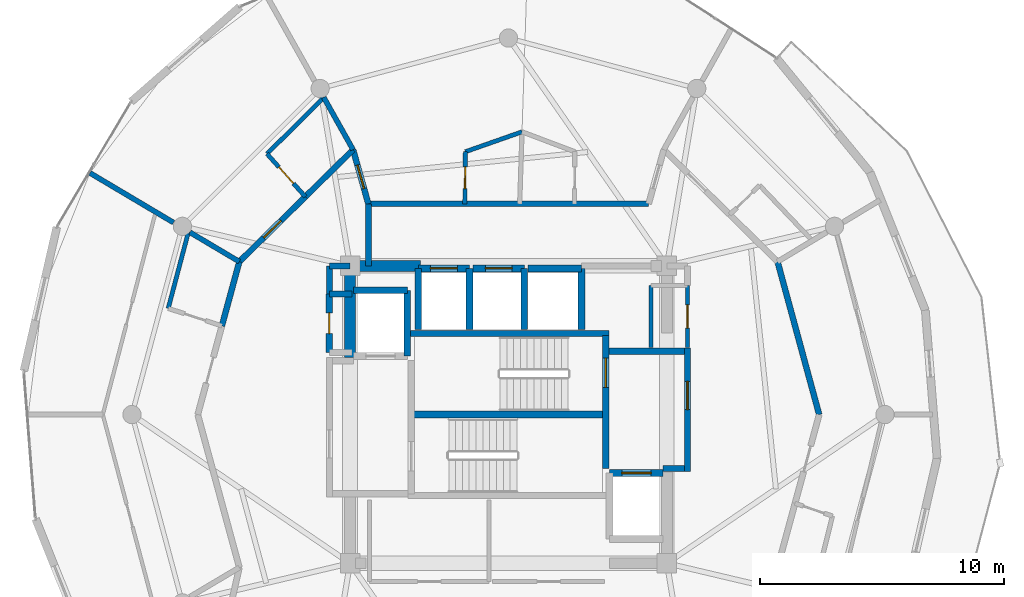
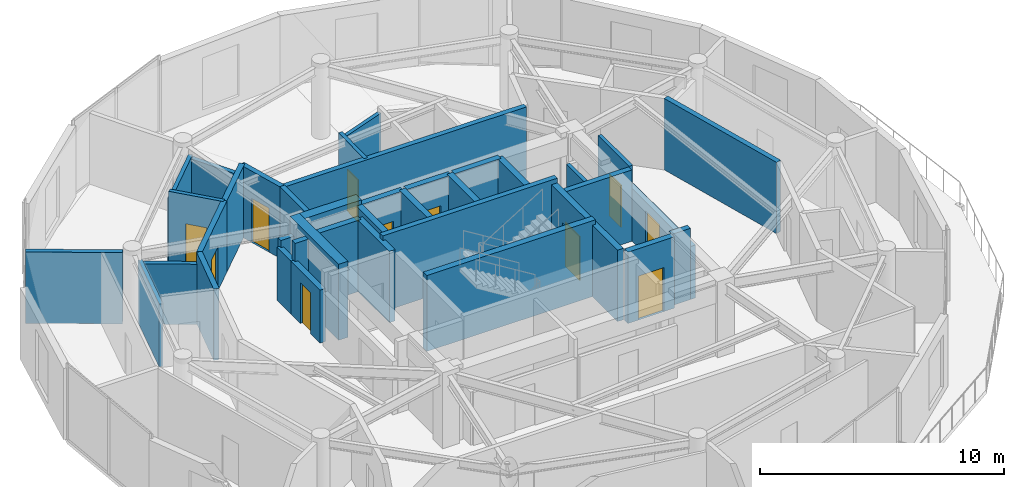
# One storey, part 18 of 22: 39 walls, 11 doors, 11 openings.
"""IFC4 building model written with IfcOpenShell, lengths in metres."""

from ifc_helpers import new_model, si_unit, direction, frame, frame_2d, origin, place, context, subcontext, project, spatial, rectangle, extrude, material, layer, layer_set, type_object, element, fill, save


model = new_model("IFC4")

# Units and contexts
model_context = context("Model", 3, precision=1e-05, world=origin(), true_north=direction((0.0, 1.0)))
body_context = subcontext(model_context, "Body", "Model", "MODEL_VIEW")
ifc_project = project(units=[si_unit("LENGTHUNIT", "METRE"), si_unit("AREAUNIT", "SQUARE_METRE"), si_unit("VOLUMEUNIT", "CUBIC_METRE"), si_unit("PLANEANGLEUNIT", "RADIAN"), si_unit("MASSUNIT", "GRAM", prefix="KILO")], contexts=[model_context])

# Site, building, storey
site_placement = place(None, origin())
site = spatial("IfcSite", under=ifc_project, at=site_placement, CompositionType="ELEMENT")
building_placement = place(site_placement, origin())
building = spatial("IfcBuilding", under=site, at=building_placement, Name="Solvirekh Grand Hotel", CompositionType="ELEMENT")
storey_placement = place(building_placement, frame((0.0, 0.0, 239.199951171875)))
storey = spatial("IfcBuildingStorey", under=building, at=storey_placement, Name="L62", CompositionType="ELEMENT", Elevation=239.199951171875)

# Wall
ifc_material_1 = material(Name="Concrete C50/60", Category="concrete")
ifc_layer_1 = layer(ifc_material_1, 0.35009765625)
ifc_layer_set_1 = layer_set([ifc_layer_1], Name="Concrete C50/60")
wall_type_1 = type_object("IfcWallType", Name="CoreDivWall_RC350", PredefinedType="SOLIDWALL", material=ifc_layer_set_1)
wall_1_placement = place(storey_placement, frame((-4.1298828125, 3.324951171875, 0.0), z_axis=(0.0, 0.0, 1.0), x_axis=(1.0, 0.0, 0.0)))
element("IfcWall", 1, at=wall_1_placement, inside=storey, type_object=wall_type_1, Name="L62 core stair box wall ST-N", PredefinedType="SOLIDWALL", context=body_context, shape_type="SweptSolid", body=[
    extrude(rectangle(XDim=8.259765625, YDim=0.25, at=frame_2d((4.1298828125, 0.0))), origin(), (0.0, 0.0, 1.0), 3.800048828125),
])

# Wall, opening, door
ifc_material_2 = material(Name="Concrete C40/50", Category="concrete")
ifc_layer_2 = layer(ifc_material_2, 0.280029296875)
ifc_layer_set_2 = layer_set([ifc_layer_2], Name="Concrete C40/50")
wall_type_2 = type_object("IfcWallType", Name="CoreShaftWall_RC280", PredefinedType="SOLIDWALL", material=ifc_layer_set_2)
wall_2_placement = place(storey_placement, frame((-1.60009765625, 6.0, 0.0), z_axis=(0.0, 0.0, 1.0), x_axis=(-1.0, 0.0, 0.0)))
wall_2 = element("IfcWall", 2, at=wall_2_placement, inside=storey, type_object=wall_type_2, Name="L62 HP-1 hoistway N wall", PredefinedType="SOLIDWALL", context=body_context, shape_type="SweptSolid", body=[
    extrude(rectangle(XDim=2.099853515625, YDim=0.280029296875, at=frame_2d((1.0498046875, 0.0))), origin(), (0.0, 0.0, 1.0), 3.570068359375),
])
opening_1_placement = place(wall_2_placement, frame((0.5, 0.0, 0.0)))
opening_1 = element("IfcOpeningElement", 3, at=opening_1_placement, cuts=wall_2, Name="Opening LD01", PredefinedType="OPENING", context=body_context, shape_type="SweptSolid", body=[
    extrude(rectangle(XDim=1.10009765625, YDim=2.199951171875, at=frame_2d((0.550048828125, 1.10009765625))), frame((0.0, 0.14990234375, 0.0), z_axis=(0.0, -1.0, 0.0), x_axis=(1.0, 0.0, 0.0)), (0.0, 0.0, 1.0), 0.300048828125),
])
ifc_material_3 = material(Name="Fire-Rated Steel Door Assembly", Category="steel")
door_type_1 = type_object("IfcDoorType", Name="Door_LiftLanding_1100X2200", OperationType="SLIDING_TO_LEFT", PredefinedType="DOOR", material=ifc_material_3)
door_1_placement = place(opening_1_placement, origin())
door_1 = element("IfcDoor", 4, at=door_1_placement, inside=storey, type_object=door_type_1, Name="L62 HP-1 sliding lift landing door", OperationType="SLIDING_TO_LEFT", OverallHeight=2.199951171875, OverallWidth=1.10009765625, PredefinedType="DOOR", context=body_context, shape_type="SweptSolid", body=[
    extrude(rectangle(XDim=1.10009765625, YDim=2.199951171875, at=frame_2d((0.550048828125, 1.10009765625))), frame((0.0, 0.02490234375, 0.0), z_axis=(0.0, -1.0, 0.0), x_axis=(1.0, 0.0, 0.0)), (0.0, 0.0, 1.0), 0.050048828125),
])
fill(opening_1, door_1)

# Walls
for number, where, z_axis, x_axis, name in (
    (5, (-3.699951171875, 6.0, 0.0), (0.0, 0.0, 1.0), (0.0, -1.0, 0.0), "L62 HP-1 hoistway W wall"),
    (6, (-1.60009765625, 3.5, 0.0), (0.0, 0.0, 1.0), (0.0, 1.0, 0.0), "L62 HP-1 hoistway E wall"),
):
    element("IfcWall", number, at=place(storey_placement, frame(where, z_axis=z_axis, x_axis=x_axis)), inside=storey, type_object=wall_type_2, Name=name, PredefinedType="SOLIDWALL", context=body_context, shape_type="SweptSolid", body=[
        extrude(rectangle(XDim=2.5, YDim=0.280029296875, at=frame_2d((1.25, 0.0))), origin(), (0.0, 0.0, 1.0), 3.570068359375),
    ])

# Wall, opening, door
wall_3_placement = place(storey_placement, frame((0.64990234375, 6.0, 0.0), z_axis=(0.0, 0.0, 1.0), x_axis=(-1.0, 0.0, 0.0)))
wall_3 = element("IfcWall", 7, at=wall_3_placement, inside=storey, type_object=wall_type_2, Name="L62 HP-2 hoistway N wall", PredefinedType="SOLIDWALL", context=body_context, shape_type="SweptSolid", body=[
    extrude(rectangle(XDim=2.099853515625, YDim=0.280029296875, at=frame_2d((1.0498046875, 0.0))), origin(), (0.0, 0.0, 1.0), 3.570068359375),
])
opening_2_placement = place(wall_3_placement, frame((0.5, 0.0, 0.0)))
opening_2 = element("IfcOpeningElement", 8, at=opening_2_placement, cuts=wall_3, Name="Opening LD01", PredefinedType="OPENING", context=body_context, shape_type="SweptSolid", body=[
    extrude(rectangle(XDim=1.10009765625, YDim=2.199951171875, at=frame_2d((0.550048828125, 1.10009765625))), frame((0.0, 0.14990234375, 0.0), z_axis=(0.0, -1.0, 0.0), x_axis=(1.0, 0.0, 0.0)), (0.0, 0.0, 1.0), 0.300048828125),
])
door_2_placement = place(opening_2_placement, origin())
door_2 = element("IfcDoor", 9, at=door_2_placement, inside=storey, type_object=door_type_1, Name="L62 HP-2 sliding lift landing door", OperationType="SLIDING_TO_LEFT", OverallHeight=2.199951171875, OverallWidth=1.10009765625, PredefinedType="DOOR", context=body_context, shape_type="SweptSolid", body=[
    extrude(rectangle(XDim=1.10009765625, YDim=2.199951171875, at=frame_2d((0.550048828125, 1.10009765625))), frame((0.0, 0.02490234375, 0.0), z_axis=(0.0, -1.0, 0.0), x_axis=(1.0, 0.0, 0.0)), (0.0, 0.0, 1.0), 0.050048828125),
])
fill(opening_2, door_2)

# Walls
wall_4_placement = place(storey_placement, frame((0.64990234375, 3.5, 0.0), z_axis=(0.0, 0.0, 1.0), x_axis=(0.0, 1.0, 0.0)))
element("IfcWall", 10, at=wall_4_placement, inside=storey, type_object=wall_type_2, Name="L62 HP-2 hoistway E wall", PredefinedType="SOLIDWALL", context=body_context, shape_type="SweptSolid", body=[
    extrude(rectangle(XDim=2.5, YDim=0.280029296875, at=frame_2d((1.25, 0.0))), origin(), (0.0, 0.0, 1.0), 3.570068359375),
])
wall_5_placement = place(storey_placement, frame((3.0, 6.0, 0.0), z_axis=(0.0, 0.0, 1.0), x_axis=(-1.0, 0.0, 0.0)))
element("IfcWall", 11, at=wall_5_placement, inside=storey, type_object=wall_type_2, Name="L62 EX-1 hoistway N wall", PredefinedType="SOLIDWALL", context=body_context, shape_type="SweptSolid", body=[
    extrude(rectangle(XDim=2.199951171875, YDim=0.280029296875, at=frame_2d((1.10009765625, 0.0))), origin(), (0.0, 0.0, 1.0), 3.570068359375),
])
wall_6_placement = place(storey_placement, frame((3.0, 3.5, 0.0), z_axis=(0.0, 0.0, 1.0), x_axis=(0.0, 1.0, 0.0)))
element("IfcWall", 12, at=wall_6_placement, inside=storey, type_object=wall_type_2, Name="L62 EX-1 hoistway E wall", PredefinedType="SOLIDWALL", context=body_context, shape_type="SweptSolid", body=[
    extrude(rectangle(XDim=2.5, YDim=0.280029296875, at=frame_2d((1.25, 0.0))), origin(), (0.0, 0.0, 1.0), 3.570068359375),
])
wall_7_placement = place(storey_placement, frame((-4.14990234375, 5.10009765625, 0.0), z_axis=(0.0, 0.0, 1.0), x_axis=(-1.0, 0.0, 0.0)))
element("IfcWall", 13, at=wall_7_placement, inside=storey, type_object=wall_type_2, Name="L62 FL-1 hoistway N wall", PredefinedType="SOLIDWALL", context=body_context, shape_type="SweptSolid", body=[
    extrude(rectangle(XDim=2.2001953125, YDim=0.280029296875, at=frame_2d((1.10009765625, 0.0))), origin(), (0.0, 0.0, 1.0), 3.570068359375),
])
wall_8_placement = place(storey_placement, frame((-4.14990234375, 2.39990234375, 0.0), z_axis=(0.0, 0.0, 1.0), x_axis=(0.0, 1.0, 0.0)))
element("IfcWall", 14, at=wall_8_placement, inside=storey, type_object=wall_type_2, Name="L62 FL-1 hoistway E wall", PredefinedType="SOLIDWALL", context=body_context, shape_type="SweptSolid", body=[
    extrude(rectangle(XDim=2.7001953125, YDim=0.280029296875, at=frame_2d((1.35009765625, 0.0))), origin(), (0.0, 0.0, 1.0), 3.570068359375),
])

# Wall, opening, door
wall_9_placement = place(storey_placement, frame((6.35009765625, -2.39990234375, 0.0), z_axis=(0.0, 0.0, 1.0), x_axis=(-1.0, 0.0, 0.0)))
wall_9 = element("IfcWall", 15, at=wall_9_placement, inside=storey, type_object=wall_type_2, Name="L62 FL-2 hoistway N wall", PredefinedType="SOLIDWALL", context=body_context, shape_type="SweptSolid", body=[
    extrude(rectangle(XDim=2.2001953125, YDim=0.280029296875, at=frame_2d((1.10009765625, 0.0))), origin(), (0.0, 0.0, 1.0), 3.570068359375),
])
opening_3_placement = place(wall_9_placement, frame((0.5, 0.0, 0.0)))
opening_3 = element("IfcOpeningElement", 16, at=opening_3_placement, cuts=wall_9, Name="Opening LD02", PredefinedType="OPENING", context=body_context, shape_type="SweptSolid", body=[
    extrude(rectangle(XDim=1.199951171875, YDim=2.199951171875, at=frame_2d((0.60009765625, 1.10009765625))), frame((0.0, 0.14990234375, 0.0), z_axis=(0.0, -1.0, 0.0), x_axis=(1.0, 0.0, 0.0)), (0.0, 0.0, 1.0), 0.300048828125),
])
door_type_2 = type_object("IfcDoorType", Name="Door_LiftFF_1200X2200", OperationType="SLIDING_TO_LEFT", PredefinedType="DOOR", material=ifc_material_3)
door_3_placement = place(opening_3_placement, origin())
door_3 = element("IfcDoor", 17, at=door_3_placement, inside=storey, type_object=door_type_2, Name="L62 FL-2 sliding lift landing door", OperationType="SLIDING_TO_LEFT", OverallHeight=2.199951171875, OverallWidth=1.199951171875, PredefinedType="DOOR", context=body_context, shape_type="SweptSolid", body=[
    extrude(rectangle(XDim=1.199951171875, YDim=2.199951171875, at=frame_2d((0.60009765625, 1.10009765625))), frame((0.0, 0.02490234375, 0.0), z_axis=(0.0, -1.0, 0.0), x_axis=(1.0, 0.0, 0.0)), (0.0, 0.0, 1.0), 0.050048828125),
])
fill(opening_3, door_3)

wall_10_placement = place(storey_placement, frame((3.989990234375, -2.2099609375, 0.0), z_axis=(0.0, 0.0, 1.0), x_axis=(0.0, 1.0, 0.0)))
wall_10 = element("IfcWall", 18, at=wall_10_placement, inside=storey, type_object=wall_type_2, Name="L62 east stair landing enclosure wall", PredefinedType="SOLIDWALL", context=body_context, shape_type="SweptSolid", body=[
    extrude(rectangle(XDim=5.4599609375, YDim=0.280029296875, at=frame_2d((2.72998046875, 0.0))), origin(), (0.0, 0.0, 1.0), 3.570068359375),
])
opening_4_placement = place(wall_10_placement, frame((3.322998046875, 0.0, 0.0)))
opening_4 = element("IfcOpeningElement", 19, at=opening_4_placement, cuts=wall_10, Name="Opening D05", PredefinedType="OPENING", context=body_context, shape_type="SweptSolid", body=[
    extrude(rectangle(XDim=1.199951171875, YDim=2.199951171875, at=frame_2d((0.60009765625, 1.10009765625))), frame((0.0, 0.14990234375, 0.0), z_axis=(0.0, -1.0, 0.0), x_axis=(1.0, 0.0, 0.0)), (0.0, 0.0, 1.0), 0.300048828125),
])
door_type_3 = type_object("IfcDoorType", Name="Door_StairCore_1200X2200", OperationType="NOTDEFINED", PredefinedType="DOOR", material=ifc_material_3)
door_4_placement = place(opening_4_placement, origin())
door_4 = element("IfcDoor", 20, at=door_4_placement, inside=storey, type_object=door_type_3, Name="L62 exit stair ST-2 fire door", OperationType="SINGLE_SWING_LEFT", OverallHeight=2.199951171875, OverallWidth=1.199951171875, PredefinedType="DOOR", context=body_context, shape_type="SweptSolid", body=[
    extrude(rectangle(XDim=1.199951171875, YDim=2.199951171875, at=frame_2d((0.60009765625, 1.10009765625))), frame((0.0, 0.02490234375, 0.0), z_axis=(0.0, -1.0, 0.0), x_axis=(1.0, 0.0, 0.0)), (0.0, 0.0, 1.0), 0.050048828125),
])
fill(opening_4, door_4)

# Walls
ifc_layer_3 = layer(ifc_material_1, 0.449951171875)
ifc_layer_set_3 = layer_set([ifc_layer_3], Name="Concrete C50/60")
wall_type_3 = type_object("IfcWallType", Name="CoreWall_RC450", PredefinedType="SHEAR", material=ifc_layer_set_3)
wall_11_placement = place(storey_placement, frame((-3.989990234375, 0.0, 0.0), z_axis=(0.0, 0.0, 1.0), x_axis=(1.0, 0.0, 0.0)))
element("IfcWall", 21, at=wall_11_placement, inside=storey, type_object=wall_type_3, Name="L62 central stair-spine shear wall", PredefinedType="SHEAR", context=body_context, shape_type="SweptSolid", body=[
    extrude(rectangle(XDim=7.97998046875, YDim=0.300048828125, at=frame_2d((3.989990234375, 0.0))), origin(), (0.0, 0.0, 1.0), 3.800048828125),
])
wall_12_placement = place(storey_placement, frame((-6.27490234375, 6.10009765625, 0.0), z_axis=(0.0, 0.0, 1.0), x_axis=(1.0, 0.0, 0.0)))
element("IfcWall", 22, at=wall_12_placement, inside=storey, type_object=wall_type_3, Name="L62 core corner shear wall NW-N", PredefinedType="SHEAR", context=body_context, shape_type="SweptSolid", body=[
    extrude(rectangle(XDim=2.6748046875, YDim=0.449951171875, at=frame_2d((1.33740234375, 0.0))), origin(), (0.0, 0.0, 1.0), 3.800048828125),
])
wall_13_placement = place(storey_placement, frame((-6.5, 2.35009765625, 0.0), z_axis=(0.0, 0.0, 1.0), x_axis=(0.0, 1.0, 0.0)))
element("IfcWall", 23, at=wall_13_placement, inside=storey, type_object=wall_type_3, Name="L62 core corner shear wall WN-W", PredefinedType="SHEAR", context=body_context, shape_type="SweptSolid", body=[
    extrude(rectangle(XDim=3.974853515625, YDim=0.449951171875, at=frame_2d((1.9873046875, 0.0))), origin(), (0.0, 0.0, 1.0), 3.800048828125),
])

# Wall, opening, door
ifc_material_4 = material(Name="Acoustic Gypsum Partition Assembly")
ifc_layer_4 = layer(ifc_material_4, 0.1650390625)
ifc_layer_set_4 = layer_set([ifc_layer_4], Name="Acoustic Gypsum Partition Assembly")
wall_type_4 = type_object("IfcWallType", Name="Part_BOH_165", PredefinedType="PARTITIONING", material=ifc_layer_set_4)
wall_14_placement = place(storey_placement, frame((7.35009765625, 2.75, 0.0), z_axis=(0.0, 0.0, 1.0), x_axis=(0.0, 1.0, 0.0)))
wall_14 = element("IfcWall", 24, at=wall_14_placement, inside=storey, type_object=wall_type_4, Name="L62 L62 Core Housekeeping & Linen Room wall 2", PredefinedType="PARTITIONING", context=body_context, shape_type="SweptSolid", body=[
    extrude(rectangle(XDim=2.550048828125, YDim=0.1650390625, at=frame_2d((1.27490234375, 0.0))), origin(), (0.0, 0.0, 1.0), 3.570068359375),
])
opening_5_placement = place(wall_14_placement, frame((0.800048828125, 0.0, 0.0)))
opening_5 = element("IfcOpeningElement", 25, at=opening_5_placement, cuts=wall_14, Name="Opening D10", PredefinedType="OPENING", context=body_context, shape_type="SweptSolid", body=[
    extrude(rectangle(XDim=0.949951171875, YDim=2.10009765625, at=frame_2d((0.47509765625, 1.050048828125))), frame((0.0, 0.092529296875, 0.0), z_axis=(0.0, -1.0, 0.0), x_axis=(1.0, 0.0, 0.0)), (0.0, 0.0, 1.0), 0.18505859375),
])
ifc_material_5 = material(Name="Anodized Bronze Aluminium 6063-T6", Category="aluminium")
door_type_4 = type_object("IfcDoorType", Name="Door_RoomInt_950X2100", OperationType="NOTDEFINED", PredefinedType="DOOR", material=ifc_material_5)
door_5_placement = place(opening_5_placement, origin())
door_5 = element("IfcDoor", 26, at=door_5_placement, inside=storey, type_object=door_type_4, Name="L62 L62 Core Housekeeping & Linen Room door", OperationType="SINGLE_SWING_LEFT", OverallHeight=2.10009765625, OverallWidth=0.949951171875, PredefinedType="DOOR", context=body_context, shape_type="SweptSolid", body=[
    extrude(rectangle(XDim=0.949951171875, YDim=2.10009765625, at=frame_2d((0.47509765625, 1.050048828125))), frame((0.0, 0.02490234375, 0.0), z_axis=(0.0, -1.0, 0.0), x_axis=(1.0, 0.0, 0.0)), (0.0, 0.0, 1.0), 0.050048828125),
])
fill(opening_5, door_5)

# Wall
wall_15_placement = place(storey_placement, frame((5.85009765625, 5.300048828125, 0.0), z_axis=(0.0, 0.0, 1.0), x_axis=(0.0, -1.0, 0.0)))
element("IfcWall", 27, at=wall_15_placement, inside=storey, type_object=wall_type_4, Name="L62 L62 Core Housekeeping & Linen Room wall 4", PredefinedType="PARTITIONING", context=body_context, shape_type="SweptSolid", body=[
    extrude(rectangle(XDim=2.550048828125, YDim=0.1650390625, at=frame_2d((1.27490234375, 0.0))), origin(), (0.0, 0.0, 1.0), 2.655029296875),
])

# Wall, opening, door
ifc_layer_5 = layer(ifc_material_4, 0.239990234375)
ifc_layer_set_5 = layer_set([ifc_layer_5], Name="Acoustic Gypsum Partition Assembly")
wall_type_5 = type_object("IfcWallType", Name="Part_Corridor_240", PredefinedType="PARTITIONING", material=ifc_layer_set_5)
wall_16_placement = place(storey_placement, frame((7.35009765625, -2.340087890625, 0.0), z_axis=(0.0, 0.0, 1.0), x_axis=(0.0, 1.0, 0.0)))
wall_16 = element("IfcWall", 28, at=wall_16_placement, inside=storey, type_object=wall_type_5, Name="L62 east firefighting lobby smoke screen wall", PredefinedType="PARTITIONING", context=body_context, shape_type="SweptSolid", body=[
    extrude(rectangle(XDim=5.070068359375, YDim=0.239990234375, at=frame_2d((2.53515625, 0.0))), origin(), (0.0, 0.0, 1.0), 2.655029296875),
])
opening_6_placement = place(wall_16_placement, frame((2.548095703125, 0.0, 0.0)))
opening_6 = element("IfcOpeningElement", 29, at=opening_6_placement, cuts=wall_16, Name="Opening D06", PredefinedType="OPENING", context=body_context, shape_type="SweptSolid", body=[
    extrude(rectangle(XDim=1.14990234375, YDim=2.199951171875, at=frame_2d((0.574951171875, 1.10009765625))), frame((0.0, 0.1298828125, 0.0), z_axis=(0.0, -1.0, 0.0), x_axis=(1.0, 0.0, 0.0)), (0.0, 0.0, 1.0), 0.260009765625),
])
door_type_5 = type_object("IfcDoorType", Name="Door_FFLobby_1150X2200", OperationType="NOTDEFINED", PredefinedType="DOOR", material=ifc_material_3)
door_6_placement = place(opening_6_placement, origin())
door_6 = element("IfcDoor", 30, at=door_6_placement, inside=storey, type_object=door_type_5, Name="L62 east firefighting lobby smoke door", OperationType="SINGLE_SWING_LEFT", OverallHeight=2.199951171875, OverallWidth=1.14990234375, PredefinedType="DOOR", context=body_context, shape_type="SweptSolid", body=[
    extrude(rectangle(XDim=1.14990234375, YDim=2.199951171875, at=frame_2d((0.574951171875, 1.10009765625))), frame((0.0, 0.02490234375, 0.0), z_axis=(0.0, -1.0, 0.0), x_axis=(1.0, 0.0, 0.0)), (0.0, 0.0, 1.0), 0.050048828125),
])
fill(opening_6, door_6)

# Walls
wall_17_placement = place(storey_placement, frame((-5.75, 8.64990234375, 0.0), z_axis=(0.0, 0.0, 1.0), x_axis=(1.0, 0.0, 0.0)))
element("IfcWall", 31, at=wall_17_placement, inside=storey, type_object=wall_type_5, Name="L62 north lift lobby enclosure wall", PredefinedType="PARTITIONING", context=body_context, shape_type="SweptSolid", body=[
    extrude(rectangle(XDim=11.5, YDim=0.239990234375, at=frame_2d((5.75, 0.0))), origin(), (0.0, 0.0, 1.0), 3.570068359375),
])
wall_18_placement = place(storey_placement, frame((-5.75, 6.10009765625, 0.0), z_axis=(0.0, 0.0, 1.0), x_axis=(0.0, 1.0, 0.0)))
element("IfcWall", 32, at=wall_18_placement, inside=storey, type_object=wall_type_5, Name="L62 north lift lobby west wall", PredefinedType="PARTITIONING", context=body_context, shape_type="SweptSolid", body=[
    extrude(rectangle(XDim=2.5498046875, YDim=0.239990234375, at=frame_2d((1.27490234375, 0.0))), origin(), (0.0, 0.0, 1.0), 3.570068359375),
])
wall_19_placement = place(storey_placement, frame((-7.35009765625, 4.949951171875, 0.0), z_axis=(0.0, 0.0, 1.0), x_axis=(0.0, 1.0, 0.0)))
element("IfcWall", 33, at=wall_19_placement, inside=storey, type_object=wall_type_5, Name="L62 NW core cheek closure wall", PredefinedType="PARTITIONING", context=body_context, shape_type="SweptSolid", body=[
    extrude(rectangle(XDim=1.150146484375, YDim=0.239990234375, at=frame_2d((0.5751953125, 0.0))), origin(), (0.0, 0.0, 1.0), 2.655029296875),
])
wall_20_placement = place(storey_placement, frame((-7.35009765625, 6.10009765625, 0.0), z_axis=(0.0, 0.0, 1.0), x_axis=(1.0, 0.0, 0.0)))
element("IfcWall", 34, at=wall_20_placement, inside=storey, type_object=wall_type_5, Name="L62 NW core corner tie wall", PredefinedType="PARTITIONING", context=body_context, shape_type="SweptSolid", body=[
    extrude(rectangle(XDim=0.85009765625, YDim=0.239990234375, at=frame_2d((0.425048828125, 0.0))), origin(), (0.0, 0.0, 1.0), 3.010986328125),
])

# Wall, opening, door
wall_21_placement = place(storey_placement, frame((-6.375, 10.868896484375, 0.0), z_axis=(0.0, 0.0, 1.0), x_axis=(0.271110513922, -0.962548226969, 0.0)))
wall_21 = element("IfcWall", 35, at=wall_21_placement, inside=storey, type_object=wall_type_5, Name="L62 Panorama Suite 6402 entrance wall", PredefinedType="PARTITIONING", context=body_context, shape_type="SweptSolid", body=[
    extrude(rectangle(XDim=2.305419921875, YDim=0.239990234375, at=frame_2d((1.15283203125, 0.0))), origin(), (0.0, 0.0, 1.0), 3.570068359375),
])
opening_7_placement = place(wall_21_placement, frame((0.653076171875, 0.0, 0.0)))
opening_7 = element("IfcOpeningElement", 36, at=opening_7_placement, cuts=wall_21, Name="Opening D07", PredefinedType="OPENING", context=body_context, shape_type="SweptSolid", body=[
    extrude(rectangle(XDim=1.0, YDim=2.199951171875, at=frame_2d((0.5, 1.10009765625))), frame((0.0, 0.1298828125, 0.0), z_axis=(0.0, -1.0, 0.0), x_axis=(1.0, 0.0, 0.0)), (0.0, 0.0, 1.0), 0.260009765625),
])
door_type_6 = type_object("IfcDoorType", Name="Door_GuestEntry_1000X2200", OperationType="NOTDEFINED", PredefinedType="DOOR", material=ifc_material_3)
door_7_placement = place(opening_7_placement, origin())
door_7 = element("IfcDoor", 37, at=door_7_placement, inside=storey, type_object=door_type_6, Name="L62 Panorama Suite 6402 entrance door", OperationType="SINGLE_SWING_LEFT", OverallHeight=2.199951171875, OverallWidth=1.0, PredefinedType="DOOR", context=body_context, shape_type="SweptSolid", body=[
    extrude(rectangle(XDim=1.0, YDim=2.199951171875, at=frame_2d((0.5, 1.10009765625))), frame((0.0, 0.02490234375, 0.0), z_axis=(0.0, -1.0, 0.0), x_axis=(1.0, 0.0, 0.0)), (0.0, 0.0, 1.0), 0.050048828125),
])
fill(opening_7, door_7)

# Wall
wall_22_placement = place(storey_placement, frame((-6.375, 10.868896484375, 0.0), z_axis=(0.0, 0.0, 1.0), x_axis=(-0.712721806089, -0.701446809904, 0.0)))
element("IfcWall", 38, at=wall_22_placement, inside=storey, type_object=wall_type_5, Name="L62 En-suite Bathroom 6403 corridor backing wall", PredefinedType="PARTITIONING", context=body_context, shape_type="SweptSolid", body=[
    extrude(rectangle(XDim=2.75, YDim=0.239990234375, at=frame_2d((1.375, 0.0))), origin(), (0.0, 0.0, 1.0), 3.570068359375),
])

# Wall, opening, door
wall_23_placement = place(storey_placement, frame((-8.3349609375, 8.93994140625, 0.0), z_axis=(0.0, 0.0, 1.0), x_axis=(-0.712612295011, -0.701558063883, 0.0)))
wall_23 = element("IfcWall", 39, at=wall_23_placement, inside=storey, type_object=wall_type_5, Name="L62 Deluxe Guestroom 6403 entrance wall", PredefinedType="PARTITIONING", context=body_context, shape_type="SweptSolid", body=[
    extrude(rectangle(XDim=3.798828125, YDim=0.239990234375, at=frame_2d((1.8994140625, 0.0))), origin(), (0.0, 0.0, 1.0), 3.570068359375),
])
opening_8_placement = place(wall_23_placement, frame((1.39892578125, 0.0, 0.0)))
opening_8 = element("IfcOpeningElement", 40, at=opening_8_placement, cuts=wall_23, Name="Opening D07", PredefinedType="OPENING", context=body_context, shape_type="SweptSolid", body=[
    extrude(rectangle(XDim=1.0, YDim=2.199951171875, at=frame_2d((0.5, 1.10009765625))), frame((0.0, 0.1298828125, 0.0), z_axis=(0.0, -1.0, 0.0), x_axis=(1.0, 0.0, 0.0)), (0.0, 0.0, 1.0), 0.260009765625),
])
door_8_placement = place(opening_8_placement, origin())
door_8 = element("IfcDoor", 41, at=door_8_placement, inside=storey, type_object=door_type_6, Name="L62 Deluxe Guestroom 6403 entrance door", OperationType="SINGLE_SWING_LEFT", OverallHeight=2.199951171875, OverallWidth=1.0, PredefinedType="DOOR", context=body_context, shape_type="SweptSolid", body=[
    extrude(rectangle(XDim=1.0, YDim=2.199951171875, at=frame_2d((0.5, 1.10009765625))), frame((0.0, 0.02490234375, 0.0), z_axis=(0.0, -1.0, 0.0), x_axis=(1.0, 0.0, 0.0)), (0.0, 0.0, 1.0), 0.050048828125),
])
fill(opening_8, door_8)

# Walls
wall_24_placement = place(storey_placement, frame((-11.0419921875, 6.27490234375, 0.0), z_axis=(0.0, 0.0, 1.0), x_axis=(-0.262572701387, -0.964912211803, 0.0)))
element("IfcWall", 42, at=wall_24_placement, inside=storey, type_object=wall_type_5, Name="L62 En-suite Bathroom 6404 corridor backing wall", PredefinedType="PARTITIONING", context=body_context, shape_type="SweptSolid", body=[
    extrude(rectangle(XDim=2.730712890625, YDim=0.239990234375, at=frame_2d((1.365234375, 0.0))), origin(), (0.0, 0.0, 1.0), 3.570068359375),
])
wall_25_placement = place(storey_placement, frame((12.75, 0.0, 0.0), z_axis=(0.0, 0.0, 1.0), x_axis=(-0.262640884433, 0.964893655189, 0.0)))
element("IfcWall", 43, at=wall_25_placement, inside=storey, type_object=wall_type_5, Name="L62 Executive Suite 6405 Living Room corridor wall 1", PredefinedType="PARTITIONING", context=body_context, shape_type="SweptSolid", body=[
    extrude(rectangle(XDim=6.503173828125, YDim=0.239990234375, at=frame_2d((3.25146484375, 0.0))), origin(), (0.0, 0.0, 1.0), 3.570068359375),
])
ifc_layer_6 = layer(ifc_material_4, 0.260009765625)
ifc_layer_set_6 = layer_set([ifc_layer_6], Name="Acoustic Gypsum Partition Assembly")
wall_type_6 = type_object("IfcWallType", Name="Part_LobbyFF_260", PredefinedType="PARTITIONING", material=ifc_layer_set_6)
wall_26_placement = place(storey_placement, frame((6.35009765625, -2.2099609375, 0.0), z_axis=(0.0, 0.0, 1.0), x_axis=(1.0, 0.0, 0.0)))
element("IfcWall", 44, at=wall_26_placement, inside=storey, type_object=wall_type_6, Name="L62 east firefighting lobby SE cheek", PredefinedType="PARTITIONING", context=body_context, shape_type="SweptSolid", body=[
    extrude(rectangle(XDim=0.875, YDim=0.260009765625, at=frame_2d((0.4375, 0.0))), origin(), (0.0, 0.0, 1.0), 3.570068359375),
])
wall_27_placement = place(storey_placement, frame((4.1298828125, 2.60009765625, 0.0), z_axis=(0.0, 0.0, 1.0), x_axis=(1.0, 0.0, 0.0)))
element("IfcWall", 45, at=wall_27_placement, inside=storey, type_object=wall_type_6, Name="L62 east firefighting lobby north partition", PredefinedType="PARTITIONING", context=body_context, shape_type="SweptSolid", body=[
    extrude(rectangle(XDim=3.09521484375, YDim=0.260009765625, at=frame_2d((1.547607421875, 0.0))), origin(), (0.0, 0.0, 1.0), 3.570068359375),
])
wall_28_placement = place(storey_placement, frame((-7.35009765625, 4.949951171875, 0.0), z_axis=(0.0, 0.0, 1.0), x_axis=(1.0, 0.0, 0.0)))
element("IfcWall", 46, at=wall_28_placement, inside=storey, type_object=wall_type_6, Name="L62 NW telecom metering cupboard north wall", PredefinedType="PARTITIONING", context=body_context, shape_type="SweptSolid", body=[
    extrude(rectangle(XDim=0.93017578125, YDim=0.260009765625, at=frame_2d((0.465087890625, 0.0))), origin(), (0.0, 0.0, 1.0), 3.570068359375),
])

# Wall, opening, door
wall_29_placement = place(storey_placement, frame((-7.35009765625, 2.550048828125, 0.0), z_axis=(0.0, 0.0, 1.0), x_axis=(0.0, 1.0, 0.0)))
wall_29 = element("IfcWall", 47, at=wall_29_placement, inside=storey, type_object=wall_type_6, Name="L62 NW telecom metering cupboard access wall", PredefinedType="PARTITIONING", context=body_context, shape_type="SweptSolid", body=[
    extrude(rectangle(XDim=2.39990234375, YDim=0.260009765625, at=frame_2d((1.199951171875, 0.0))), origin(), (0.0, 0.0, 1.0), 2.655029296875),
])
opening_9_placement = place(wall_29_placement, frame((0.77490234375, 0.0, 0.0)))
opening_9 = element("IfcOpeningElement", 48, at=opening_9_placement, cuts=wall_29, Name="Opening D13", PredefinedType="OPENING", context=body_context, shape_type="SweptSolid", body=[
    extrude(rectangle(XDim=0.85009765625, YDim=2.050048828125, at=frame_2d((0.425048828125, 1.02490234375))), frame((0.0, 0.14013671875, 0.0), z_axis=(0.0, -1.0, 0.0), x_axis=(1.0, 0.0, 0.0)), (0.0, 0.0, 1.0), 0.280029296875),
])
door_type_7 = type_object("IfcDoorType", Name="Door_RiserShaft_850X2050", OperationType="NOTDEFINED", PredefinedType="DOOR", material=ifc_material_3)
door_9_placement = place(opening_9_placement, origin())
door_9 = element("IfcDoor", 49, at=door_9_placement, inside=storey, type_object=door_type_7, Name="L62 telecom metering cupboard access door", OperationType="SINGLE_SWING_RIGHT", OverallHeight=2.050048828125, OverallWidth=0.85009765625, PredefinedType="DOOR", context=body_context, shape_type="SweptSolid", body=[
    extrude(rectangle(XDim=0.85009765625, YDim=2.050048828125, at=frame_2d((0.425048828125, 1.02490234375))), frame((0.0, 0.02490234375, 0.0), z_axis=(0.0, -1.0, 0.0), x_axis=(1.0, 0.0, 0.0)), (0.0, 0.0, 1.0), 0.050048828125),
])
fill(opening_9, door_9)

# Walls
ifc_layer_7 = layer(ifc_material_4, 0.2099609375)
ifc_layer_set_7 = layer_set([ifc_layer_7], Name="Acoustic Gypsum Partition Assembly")
wall_type_7 = type_object("IfcWallType", Name="Part_SuiteDemise_210", PredefinedType="PARTITIONING", material=ifc_layer_set_7)
wall_30_placement = place(storey_placement, frame((-6.375, 10.868896484375, 0.0), z_axis=(0.0, 0.0, 1.0), x_axis=(-0.489667191284, 0.871909422922, 0.0)))
element("IfcWall", 50, at=wall_30_placement, inside=storey, type_object=wall_type_7, Name="L62 suite radial wall 5 (A)", PredefinedType="PARTITIONING", context=body_context, shape_type="SweptSolid", body=[
    extrude(rectangle(XDim=2.458984375, YDim=0.2099609375, at=frame_2d((1.2294921875, 0.0))), origin(), (0.0, 0.0, 1.0), 3.010986328125),
])
wall_31_placement = place(storey_placement, frame((-11.0419921875, 6.27490234375, 0.0), z_axis=(0.0, 0.0, 1.0), x_axis=(-0.859975377651, 0.510335526721, 0.0)))
element("IfcWall", 51, at=wall_31_placement, inside=storey, type_object=wall_type_7, Name="L62 suite radial wall 6 (A)", PredefinedType="PARTITIONING", context=body_context, shape_type="SweptSolid", body=[
    extrude(rectangle(XDim=2.359375, YDim=0.2099609375, at=frame_2d((1.1796875, 0.0))), origin(), (0.0, 0.0, 1.0), 3.010986328125),
])
wall_32_placement = place(storey_placement, frame((-13.743896484375, 7.87890625, 0.0), z_axis=(0.0, 0.0, 1.0), x_axis=(-0.859849705024, 0.510547240488, 0.0)))
element("IfcWall", 52, at=wall_32_placement, inside=storey, type_object=wall_type_7, Name="L62 suite radial wall 6 (B)", PredefinedType="PARTITIONING", context=body_context, shape_type="SweptSolid", body=[
    extrude(rectangle(XDim=3.988037109375, YDim=0.2099609375, at=frame_2d((1.994140625, 0.0))), origin(), (0.0, 0.0, 1.0), 3.570068359375),
])
ifc_layer_8 = layer(ifc_material_4, 0.175048828125)
ifc_layer_set_8 = layer_set([ifc_layer_8], Name="Acoustic Gypsum Partition Assembly")
wall_type_8 = type_object("IfcWallType", Name="Plumb_Ensuite_175", PredefinedType="PLUMBINGWALL", material=ifc_layer_set_8)
wall_33_placement = place(storey_placement, frame((-1.76708984375, 10.785888671875, 0.0), z_axis=(0.0, 0.0, 1.0), x_axis=(0.943463492061, 0.331476453385, 0.0)))
element("IfcWall", 53, at=wall_33_placement, inside=storey, type_object=wall_type_8, Name="L62 En-suite Bathroom 6402 outer plumbing wall", PredefinedType="PLUMBINGWALL", context=body_context, shape_type="SweptSolid", body=[
    extrude(rectangle(XDim=2.462158203125, YDim=0.175048828125, at=frame_2d((1.23095703125, 0.0))), origin(), (0.0, 0.0, 1.0), 3.2529296875),
])

# Wall, opening, door
wall_34_placement = place(storey_placement, frame((-1.76708984375, 10.785888671875, 0.0), z_axis=(0.0, 0.0, 1.0), x_axis=(-0.010743464968, -0.999942287315, 0.0)))
wall_34 = element("IfcWall", 54, at=wall_34_placement, inside=storey, type_object=wall_type_8, Name="L62 En-suite Bathroom 6402 entry plumbing wall", PredefinedType="PLUMBINGWALL", context=body_context, shape_type="SweptSolid", body=[
    extrude(rectangle(XDim=2.13623046875, YDim=0.175048828125, at=frame_2d((1.068115234375, 0.0))), origin(), (0.0, 0.0, 1.0), 3.570068359375),
])
opening_10_placement = place(wall_34_placement, frame((0.617919921875, 0.0, 0.0)))
opening_10 = element("IfcOpeningElement", 55, at=opening_10_placement, cuts=wall_34, Name="Opening D09", PredefinedType="OPENING", context=body_context, shape_type="SweptSolid", body=[
    extrude(rectangle(XDim=0.89990234375, YDim=2.10009765625, at=frame_2d((0.449951171875, 1.050048828125))), frame((0.0, 0.09765625, 0.0), z_axis=(0.0, -1.0, 0.0), x_axis=(1.0, 0.0, 0.0)), (0.0, 0.0, 1.0), 0.195068359375),
])
door_type_8 = type_object("IfcDoorType", Name="Door_Ensuite_900X2100", OperationType="NOTDEFINED", PredefinedType="DOOR", material=ifc_material_5)
door_10_placement = place(opening_10_placement, origin())
door_10 = element("IfcDoor", 56, at=door_10_placement, inside=storey, type_object=door_type_8, Name="L62 En-suite Bathroom 6402 door", OperationType="SINGLE_SWING_RIGHT", OverallHeight=2.10009765625, OverallWidth=0.89990234375, PredefinedType="DOOR", context=body_context, shape_type="SweptSolid", body=[
    extrude(rectangle(XDim=0.89990234375, YDim=2.10009765625, at=frame_2d((0.449951171875, 1.050048828125))), frame((0.0, 0.02490234375, 0.0), z_axis=(0.0, -1.0, 0.0), x_axis=(1.0, 0.0, 0.0)), (0.0, 0.0, 1.0), 0.050048828125),
])
fill(opening_10, door_10)

# Wall
wall_35_placement = place(storey_placement, frame((-7.574951171875, 13.007080078125, 0.0), z_axis=(0.0, 0.0, 1.0), x_axis=(-0.710892186869, -0.703301001456, 0.0)))
element("IfcWall", 57, at=wall_35_placement, inside=storey, type_object=wall_type_8, Name="L62 En-suite Bathroom 6403 outer plumbing wall", PredefinedType="PLUMBINGWALL", context=body_context, shape_type="SweptSolid", body=[
    extrude(rectangle(XDim=3.280517578125, YDim=0.175048828125, at=frame_2d((1.64013671875, 0.0))), origin(), (0.0, 0.0, 1.0), 3.13916015625),
])

# Wall, opening, door
wall_36_placement = place(storey_placement, frame((-8.3349609375, 8.93994140625, 0.0), z_axis=(0.0, 0.0, 1.0), x_axis=(-0.666153503552, 0.745814661766, 0.0)))
wall_36 = element("IfcWall", 58, at=wall_36_placement, inside=storey, type_object=wall_type_8, Name="L62 En-suite Bathroom 6403 entry plumbing wall", PredefinedType="PLUMBINGWALL", context=body_context, shape_type="SweptSolid", body=[
    extrude(rectangle(XDim=2.35986328125, YDim=0.175048828125, at=frame_2d((1.179931640625, 0.0))), origin(), (0.0, 0.0, 1.0), 3.570068359375),
])
opening_11_placement = place(wall_36_placement, frame((0.72998046875, 0.0, 0.0)))
opening_11 = element("IfcOpeningElement", 59, at=opening_11_placement, cuts=wall_36, Name="Opening D09", PredefinedType="OPENING", context=body_context, shape_type="SweptSolid", body=[
    extrude(rectangle(XDim=0.89990234375, YDim=2.10009765625, at=frame_2d((0.449951171875, 1.050048828125))), frame((0.0, 0.09765625, 0.0), z_axis=(0.0, -1.0, 0.0), x_axis=(1.0, 0.0, 0.0)), (0.0, 0.0, 1.0), 0.195068359375),
])
door_11_placement = place(opening_11_placement, origin())
door_11 = element("IfcDoor", 60, at=door_11_placement, inside=storey, type_object=door_type_8, Name="L62 En-suite Bathroom 6403 door", OperationType="SINGLE_SWING_RIGHT", OverallHeight=2.10009765625, OverallWidth=0.89990234375, PredefinedType="DOOR", context=body_context, shape_type="SweptSolid", body=[
    extrude(rectangle(XDim=0.89990234375, YDim=2.10009765625, at=frame_2d((0.449951171875, 1.050048828125))), frame((0.0, 0.02490234375, 0.0), z_axis=(0.0, -1.0, 0.0), x_axis=(1.0, 0.0, 0.0)), (0.0, 0.0, 1.0), 0.050048828125),
])
fill(opening_11, door_11)

# Wall
wall_37_placement = place(storey_placement, frame((-13.126953125, 7.512939453125, 0.0), z_axis=(0.0, 0.0, 1.0), x_axis=(-0.25555737321, -0.966793891684, 0.0)))
element("IfcWall", 61, at=wall_37_placement, inside=storey, type_object=wall_type_8, Name="L62 En-suite Bathroom 6404 outer plumbing wall", PredefinedType="PLUMBINGWALL", context=body_context, shape_type="SweptSolid", body=[
    extrude(rectangle(XDim=3.263427734375, YDim=0.175048828125, at=frame_2d((1.6318359375, 0.0))), origin(), (0.0, 0.0, 1.0), 3.13916015625),
])

save(model, "model.ifc")
